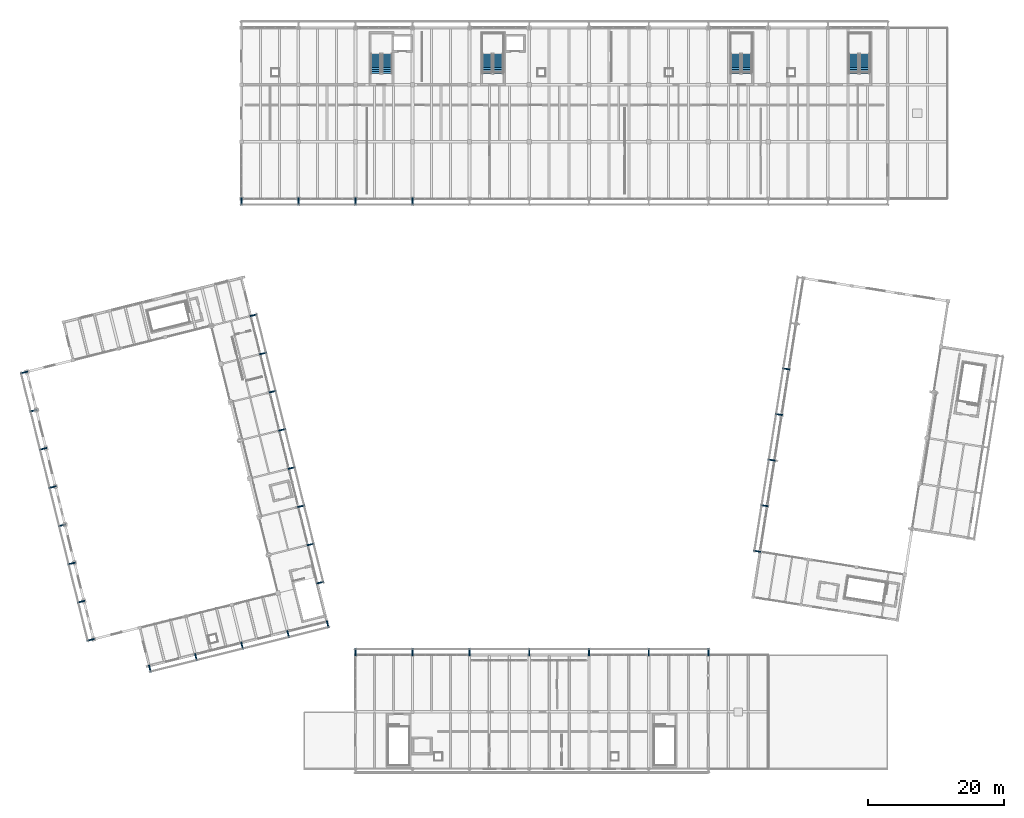
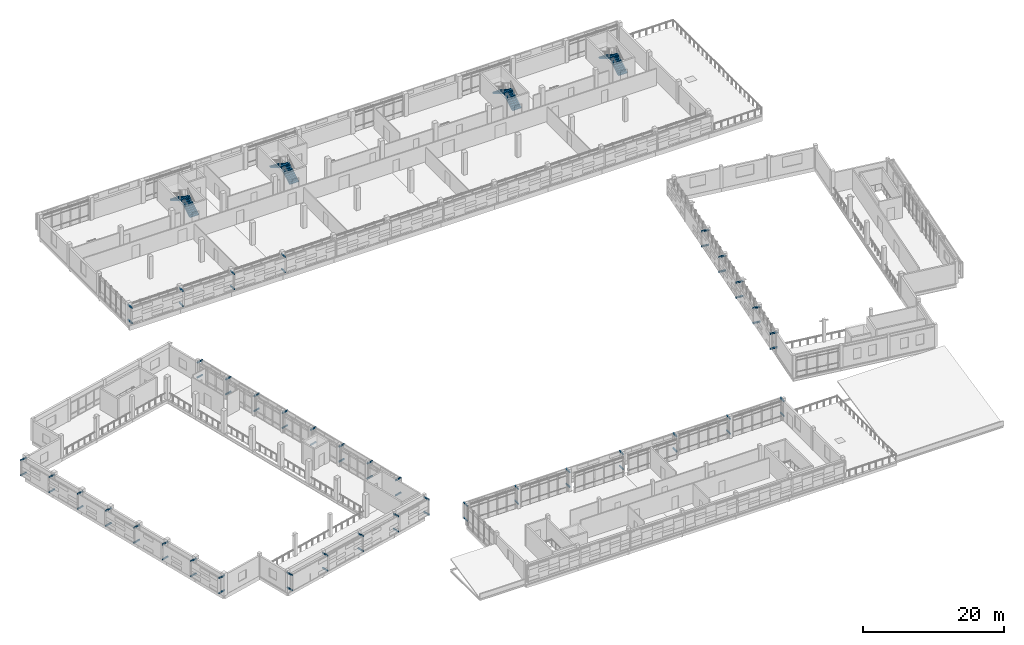
# One storey, part 103 of 117: 74 discrete accessories, 8 stair flights, 4 elements without a shape of their own.
"""IFC4 building model written with IfcOpenShell, lengths in metres."""

from ifc_helpers import new_model, si_unit, direction, frame, origin, origin_2d, place, context, subcontext, project, spatial, polyline, rectangle, outline, extrude, material, type_object, element, aggregate, save


model = new_model("IFC4")

# Units and contexts
model_context = context("Model", 3, precision=1e-05, world=origin(), true_north=direction((0.0, 1.0)))
body_context = subcontext(model_context, "Body", "Model", "MODEL_VIEW")
ifc_project = project(units=[si_unit("LENGTHUNIT", "METRE"), si_unit("AREAUNIT", "SQUARE_METRE"), si_unit("VOLUMEUNIT", "CUBIC_METRE"), si_unit("PLANEANGLEUNIT", "RADIAN"), si_unit("MASSUNIT", "GRAM", prefix="KILO")], contexts=[model_context])

# Site, building, storey
site_placement = place(None, origin())
site = spatial("IfcSite", under=ifc_project, at=site_placement, CompositionType="ELEMENT")
building_placement = place(site_placement, origin())
building = spatial("IfcBuilding", under=site, at=building_placement, Name="Cinderway Yard Community Centre", CompositionType="ELEMENT")
storey_placement = place(building_placement, frame((0.0, 0.0, 9.0)))
storey = spatial("IfcBuildingStorey", under=building, at=storey_placement, Name="L02", CompositionType="ELEMENT", Elevation=9.0)

# Stair, stair flights
ifc_material_1 = material(Name="Concrete C40/50", Category="concrete")
stair_type = type_object("IfcStairType", Name="INT-STR-390A", PredefinedType="HALF_TURN_STAIR", material=ifc_material_1)
stair_1_placement = place(storey_placement, origin())
stair_1 = element("IfcStair", 1, at=stair_1_placement, inside=storey, type_object=stair_type, Name="L02 Core C1 Exit Stair ST-01", PredefinedType="HALF_TURN_STAIR")
stair_flight_type = type_object("IfcStairFlightType", Name="INT-FLT-390A", PredefinedType="STRAIGHT", material=ifc_material_1)
stair_flight_1_placement = place(storey_placement, frame((63.06005859375, 108.429931640625, 0.0), z_axis=(0.0, 0.0, 1.0), x_axis=(0.0, 1.0, 0.0)))
stair_flight_1 = element("IfcStairFlight", 2, at=stair_flight_1_placement, type_object=stair_flight_type, Name="ST-01 flight 1", NumberOfRisers=11, NumberOfTreads=10, PredefinedType="STRAIGHT", RiserHeight=0.177272727, TreadLength=0.29, context=body_context, shape_type="SweptSolid", body=[
    extrude(outline(polyline([(0.0, 0.0), (0.0, 0.17724609375), (0.2900390625, 0.17724609375), (0.2900390625, 0.3544921875), (0.580078125, 0.3544921875), (0.580078125, 0.53173828125), (0.8701171875, 0.53173828125), (0.8701171875, 0.708984375), (1.159912109375, 0.708984375), (1.159912109375, 0.886474609375), (1.449951171875, 0.886474609375), (1.449951171875, 1.063720703125), (1.739990234375, 1.063720703125), (1.739990234375, 1.240966796875), (2.030029296875, 1.240966796875), (2.030029296875, 1.418212890625), (2.320068359375, 1.418212890625), (2.320068359375, 1.595458984375), (2.610107421875, 1.595458984375), (2.610107421875, 1.772705078125), (2.89990234375, 1.772705078125), (2.89990234375, 1.949951171875), (2.89990234375, 1.585205078125), (0.306640625, 0.0), (0.0, 0.0)])), frame((0.0, 0.739990234375, 0.0), z_axis=(0.0, -1.0, 0.0), x_axis=(1.0, 0.0, 0.0)), (0.0, 0.0, 1.0), 1.47998046875),
])
stair_flight_2_placement = place(storey_placement, frame((61.419921875, 111.330078125, 1.949951171875), z_axis=(0.0, 0.0, 1.0), x_axis=(0.0, -1.0, 0.0)))
stair_flight_2 = element("IfcStairFlight", 3, at=stair_flight_2_placement, type_object=stair_flight_type, Name="ST-01 flight 2", NumberOfRisers=11, NumberOfTreads=10, PredefinedType="STRAIGHT", RiserHeight=0.177272727, TreadLength=0.29, context=body_context, shape_type="SweptSolid", body=[
    extrude(outline(polyline([(0.0, 0.0), (0.0, 0.17724609375), (0.2900390625, 0.17724609375), (0.2900390625, 0.3544921875), (0.580078125, 0.3544921875), (0.580078125, 0.53173828125), (0.8701171875, 0.53173828125), (0.8701171875, 0.708984375), (1.159912109375, 0.708984375), (1.159912109375, 0.886474609375), (1.449951171875, 0.886474609375), (1.449951171875, 1.063720703125), (1.739990234375, 1.063720703125), (1.739990234375, 1.240966796875), (2.030029296875, 1.240966796875), (2.030029296875, 1.418212890625), (2.320068359375, 1.418212890625), (2.320068359375, 1.595458984375), (2.610107421875, 1.595458984375), (2.610107421875, 1.772705078125), (2.89990234375, 1.772705078125), (2.89990234375, 1.949951171875), (2.89990234375, 1.585205078125), (0.306640625, 0.0), (0.0, 0.0)])), frame((0.0, 0.739990234375, 0.0), z_axis=(0.0, -1.0, 0.0), x_axis=(1.0, 0.0, 0.0)), (0.0, 0.0, 1.0), 1.47998046875),
])
aggregate(stair_1, [stair_flight_1, stair_flight_2])

stair_2_placement = place(storey_placement, origin())
stair_2 = element("IfcStair", 4, at=stair_2_placement, inside=storey, type_object=stair_type, Name="L02 Core C2A Exit Stair ST-02", PredefinedType="HALF_TURN_STAIR")
stair_flight_3_placement = place(storey_placement, frame((79.4599609375, 108.429931640625, 0.0), z_axis=(0.0, 0.0, 1.0), x_axis=(0.0, 1.0, 0.0)))
stair_flight_3 = element("IfcStairFlight", 5, at=stair_flight_3_placement, type_object=stair_flight_type, Name="ST-02 flight 1", NumberOfRisers=11, NumberOfTreads=10, PredefinedType="STRAIGHT", RiserHeight=0.177272727, TreadLength=0.29, context=body_context, shape_type="SweptSolid", body=[
    extrude(outline(polyline([(0.0, 0.0), (0.0, 0.17724609375), (0.2900390625, 0.17724609375), (0.2900390625, 0.3544921875), (0.580078125, 0.3544921875), (0.580078125, 0.53173828125), (0.8701171875, 0.53173828125), (0.8701171875, 0.708984375), (1.159912109375, 0.708984375), (1.159912109375, 0.886474609375), (1.449951171875, 0.886474609375), (1.449951171875, 1.063720703125), (1.739990234375, 1.063720703125), (1.739990234375, 1.240966796875), (2.030029296875, 1.240966796875), (2.030029296875, 1.418212890625), (2.320068359375, 1.418212890625), (2.320068359375, 1.595458984375), (2.610107421875, 1.595458984375), (2.610107421875, 1.772705078125), (2.89990234375, 1.772705078125), (2.89990234375, 1.949951171875), (2.89990234375, 1.585205078125), (0.306640625, 0.0), (0.0, 0.0)])), frame((0.0, 0.739990234375, 0.0), z_axis=(0.0, -1.0, 0.0), x_axis=(1.0, 0.0, 0.0)), (0.0, 0.0, 1.0), 1.47998046875),
])
stair_flight_4_placement = place(storey_placement, frame((77.820068359375, 111.330078125, 1.949951171875), z_axis=(0.0, 0.0, 1.0), x_axis=(0.0, -1.0, 0.0)))
stair_flight_4 = element("IfcStairFlight", 6, at=stair_flight_4_placement, type_object=stair_flight_type, Name="ST-02 flight 2", NumberOfRisers=11, NumberOfTreads=10, PredefinedType="STRAIGHT", RiserHeight=0.177272727, TreadLength=0.29, context=body_context, shape_type="SweptSolid", body=[
    extrude(outline(polyline([(0.0, 0.0), (0.0, 0.17724609375), (0.2900390625, 0.17724609375), (0.2900390625, 0.3544921875), (0.580078125, 0.3544921875), (0.580078125, 0.53173828125), (0.8701171875, 0.53173828125), (0.8701171875, 0.708984375), (1.159912109375, 0.708984375), (1.159912109375, 0.886474609375), (1.449951171875, 0.886474609375), (1.449951171875, 1.063720703125), (1.739990234375, 1.063720703125), (1.739990234375, 1.240966796875), (2.030029296875, 1.240966796875), (2.030029296875, 1.418212890625), (2.320068359375, 1.418212890625), (2.320068359375, 1.595458984375), (2.610107421875, 1.595458984375), (2.610107421875, 1.772705078125), (2.89990234375, 1.772705078125), (2.89990234375, 1.949951171875), (2.89990234375, 1.585205078125), (0.306640625, 0.0), (0.0, 0.0)])), frame((0.0, 0.739990234375, 0.0), z_axis=(0.0, -1.0, 0.0), x_axis=(1.0, 0.0, 0.0)), (0.0, 0.0, 1.0), 1.47998046875),
])
aggregate(stair_2, [stair_flight_3, stair_flight_4])

stair_3_placement = place(storey_placement, origin())
stair_3 = element("IfcStair", 7, at=stair_3_placement, inside=storey, type_object=stair_type, Name="L02 Core C2B Exit Stair ST-03", PredefinedType="HALF_TURN_STAIR")
stair_flight_5_placement = place(storey_placement, frame((116.06005859375, 108.429931640625, 0.0), z_axis=(0.0, 0.0, 1.0), x_axis=(0.0, 1.0, 0.0)))
stair_flight_5 = element("IfcStairFlight", 8, at=stair_flight_5_placement, type_object=stair_flight_type, Name="ST-03 flight 1", NumberOfRisers=11, NumberOfTreads=10, PredefinedType="STRAIGHT", RiserHeight=0.177272727, TreadLength=0.29, context=body_context, shape_type="SweptSolid", body=[
    extrude(outline(polyline([(0.0, 0.0), (0.0, 0.17724609375), (0.2900390625, 0.17724609375), (0.2900390625, 0.3544921875), (0.580078125, 0.3544921875), (0.580078125, 0.53173828125), (0.8701171875, 0.53173828125), (0.8701171875, 0.708984375), (1.159912109375, 0.708984375), (1.159912109375, 0.886474609375), (1.449951171875, 0.886474609375), (1.449951171875, 1.063720703125), (1.739990234375, 1.063720703125), (1.739990234375, 1.240966796875), (2.030029296875, 1.240966796875), (2.030029296875, 1.418212890625), (2.320068359375, 1.418212890625), (2.320068359375, 1.595458984375), (2.610107421875, 1.595458984375), (2.610107421875, 1.772705078125), (2.89990234375, 1.772705078125), (2.89990234375, 1.949951171875), (2.89990234375, 1.585205078125), (0.306640625, 0.0), (0.0, 0.0)])), frame((0.0, 0.739990234375, 0.0), z_axis=(0.0, -1.0, 0.0), x_axis=(1.0, 0.0, 0.0)), (0.0, 0.0, 1.0), 1.47998046875),
])
stair_flight_6_placement = place(storey_placement, frame((114.419921875, 111.330078125, 1.949951171875), z_axis=(0.0, 0.0, 1.0), x_axis=(0.0, -1.0, 0.0)))
stair_flight_6 = element("IfcStairFlight", 9, at=stair_flight_6_placement, type_object=stair_flight_type, Name="ST-03 flight 2", NumberOfRisers=11, NumberOfTreads=10, PredefinedType="STRAIGHT", RiserHeight=0.177272727, TreadLength=0.29, context=body_context, shape_type="SweptSolid", body=[
    extrude(outline(polyline([(0.0, 0.0), (0.0, 0.17724609375), (0.2900390625, 0.17724609375), (0.2900390625, 0.3544921875), (0.580078125, 0.3544921875), (0.580078125, 0.53173828125), (0.8701171875, 0.53173828125), (0.8701171875, 0.708984375), (1.159912109375, 0.708984375), (1.159912109375, 0.886474609375), (1.449951171875, 0.886474609375), (1.449951171875, 1.063720703125), (1.739990234375, 1.063720703125), (1.739990234375, 1.240966796875), (2.030029296875, 1.240966796875), (2.030029296875, 1.418212890625), (2.320068359375, 1.418212890625), (2.320068359375, 1.595458984375), (2.610107421875, 1.595458984375), (2.610107421875, 1.772705078125), (2.89990234375, 1.772705078125), (2.89990234375, 1.949951171875), (2.89990234375, 1.585205078125), (0.306640625, 0.0), (0.0, 0.0)])), frame((0.0, 0.739990234375, 0.0), z_axis=(0.0, -1.0, 0.0), x_axis=(1.0, 0.0, 0.0)), (0.0, 0.0, 1.0), 1.47998046875),
])
aggregate(stair_3, [stair_flight_5, stair_flight_6])

stair_4_placement = place(storey_placement, origin())
stair_4 = element("IfcStair", 10, at=stair_4_placement, inside=storey, type_object=stair_type, Name="L02 Core C2C Exit Stair ST-04", PredefinedType="HALF_TURN_STAIR")
stair_flight_7_placement = place(storey_placement, frame((133.4599609375, 108.429931640625, 0.0), z_axis=(0.0, 0.0, 1.0), x_axis=(0.0, 1.0, 0.0)))
stair_flight_7 = element("IfcStairFlight", 11, at=stair_flight_7_placement, type_object=stair_flight_type, Name="ST-04 flight 1", NumberOfRisers=11, NumberOfTreads=10, PredefinedType="STRAIGHT", RiserHeight=0.177272727, TreadLength=0.29, context=body_context, shape_type="SweptSolid", body=[
    extrude(outline(polyline([(0.0, 0.0), (0.0, 0.17724609375), (0.2900390625, 0.17724609375), (0.2900390625, 0.3544921875), (0.580078125, 0.3544921875), (0.580078125, 0.53173828125), (0.8701171875, 0.53173828125), (0.8701171875, 0.708984375), (1.159912109375, 0.708984375), (1.159912109375, 0.886474609375), (1.449951171875, 0.886474609375), (1.449951171875, 1.063720703125), (1.739990234375, 1.063720703125), (1.739990234375, 1.240966796875), (2.030029296875, 1.240966796875), (2.030029296875, 1.418212890625), (2.320068359375, 1.418212890625), (2.320068359375, 1.595458984375), (2.610107421875, 1.595458984375), (2.610107421875, 1.772705078125), (2.89990234375, 1.772705078125), (2.89990234375, 1.949951171875), (2.89990234375, 1.585205078125), (0.306640625, 0.0), (0.0, 0.0)])), frame((0.0, 0.739990234375, 0.0), z_axis=(0.0, -1.0, 0.0), x_axis=(1.0, 0.0, 0.0)), (0.0, 0.0, 1.0), 1.47998046875),
])
stair_flight_8_placement = place(storey_placement, frame((131.820068359375, 111.330078125, 1.949951171875), z_axis=(0.0, 0.0, 1.0), x_axis=(0.0, -1.0, 0.0)))
stair_flight_8 = element("IfcStairFlight", 12, at=stair_flight_8_placement, type_object=stair_flight_type, Name="ST-04 flight 2", NumberOfRisers=11, NumberOfTreads=10, PredefinedType="STRAIGHT", RiserHeight=0.177272727, TreadLength=0.29, context=body_context, shape_type="SweptSolid", body=[
    extrude(outline(polyline([(0.0, 0.0), (0.0, 0.17724609375), (0.2900390625, 0.17724609375), (0.2900390625, 0.3544921875), (0.580078125, 0.3544921875), (0.580078125, 0.53173828125), (0.8701171875, 0.53173828125), (0.8701171875, 0.708984375), (1.159912109375, 0.708984375), (1.159912109375, 0.886474609375), (1.449951171875, 0.886474609375), (1.449951171875, 1.063720703125), (1.739990234375, 1.063720703125), (1.739990234375, 1.240966796875), (2.030029296875, 1.240966796875), (2.030029296875, 1.418212890625), (2.320068359375, 1.418212890625), (2.320068359375, 1.595458984375), (2.610107421875, 1.595458984375), (2.610107421875, 1.772705078125), (2.89990234375, 1.772705078125), (2.89990234375, 1.949951171875), (2.89990234375, 1.585205078125), (0.306640625, 0.0), (0.0, 0.0)])), frame((0.0, 0.739990234375, 0.0), z_axis=(0.0, -1.0, 0.0), x_axis=(1.0, 0.0, 0.0)), (0.0, 0.0, 1.0), 1.47998046875),
])
aggregate(stair_4, [stair_flight_7, stair_flight_8])

# Discrete accessories
ifc_material_2 = material(Name="Steel S355", Category="steel")
discrete_accessory_type = type_object("IfcDiscreteAccessoryType", Name="ENV-ACC-BRACKET", PredefinedType="BRACKET", material=ifc_material_2)
for number, where, z_axis, x_axis, name in (
    (13, (41.60009765625, 89.574951171875, 0.6201171875), (0.0, 0.0, 1.0), (0.0, -1.0, 0.0), "Screen outrigger bracket 0227"),
    (14, (41.60009765625, 89.574951171875, 3.2099609375), (0.0, 0.0, 1.0), (0.0, -1.0, 0.0), "Screen outrigger bracket 0228"),
    (15, (50.0, 89.574951171875, 0.6201171875), (0.0, 0.0, 1.0), (0.0, -1.0, 0.0), "Screen outrigger bracket 0231"),
    (16, (50.0, 89.574951171875, 3.2099609375), (0.0, 0.0, 1.0), (0.0, -1.0, 0.0), "Screen outrigger bracket 0232"),
    (17, (58.39990234375, 89.574951171875, 0.6201171875), (0.0, 0.0, 1.0), (0.0, -1.0, 0.0), "Screen outrigger bracket 0235"),
    (18, (58.39990234375, 89.574951171875, 3.2099609375), (0.0, 0.0, 1.0), (0.0, -1.0, 0.0), "Screen outrigger bracket 0236"),
    (19, (66.800048828125, 89.574951171875, 0.6201171875), (0.0, 0.0, 1.0), (0.0, -1.0, 0.0), "Screen outrigger bracket 0239"),
    (20, (66.800048828125, 89.574951171875, 3.2099609375), (0.0, 0.0, 1.0), (0.0, -1.0, 0.0), "Screen outrigger bracket 0240"),
    (21, (58.39990234375, 23.22509765625, 0.6201171875), (0.0, 0.0, 1.0), (0.0, 1.0, 0.0), "Screen outrigger bracket 0383"),
    (22, (58.39990234375, 23.22509765625, 3.2099609375), (0.0, 0.0, 1.0), (0.0, 1.0, 0.0), "Screen outrigger bracket 0384"),
    (23, (66.800048828125, 23.22509765625, 0.6201171875), (0.0, 0.0, 1.0), (0.0, 1.0, 0.0), "Screen outrigger bracket 0387"),
    (24, (66.800048828125, 23.22509765625, 3.2099609375), (0.0, 0.0, 1.0), (0.0, 1.0, 0.0), "Screen outrigger bracket 0388"),
    (25, (75.199951171875, 23.22509765625, 0.6201171875), (0.0, 0.0, 1.0), (0.0, 1.0, 0.0), "Screen outrigger bracket 0391"),
    (26, (75.199951171875, 23.22509765625, 3.2099609375), (0.0, 0.0, 1.0), (0.0, 1.0, 0.0), "Screen outrigger bracket 0392"),
    (27, (84.0, 23.22509765625, 0.6201171875), (0.0, 0.0, 1.0), (0.0, 1.0, 0.0), "Screen outrigger bracket 0395"),
    (28, (84.0, 23.22509765625, 3.2099609375), (0.0, 0.0, 1.0), (0.0, 1.0, 0.0), "Screen outrigger bracket 0396"),
    (29, (92.800048828125, 23.22509765625, 0.6201171875), (0.0, 0.0, 1.0), (0.0, 1.0, 0.0), "Screen outrigger bracket 0399"),
    (30, (92.800048828125, 23.22509765625, 3.2099609375), (0.0, 0.0, 1.0), (0.0, 1.0, 0.0), "Screen outrigger bracket 0400"),
    (31, (101.60009765625, 23.22509765625, 0.6201171875), (0.0, 0.0, 1.0), (0.0, 1.0, 0.0), "Screen outrigger bracket 0403"),
    (32, (101.60009765625, 23.22509765625, 3.2099609375), (0.0, 0.0, 1.0), (0.0, 1.0, 0.0), "Screen outrigger bracket 0404"),
    (33, (110.39990234375, 23.22509765625, 0.6201171875), (0.0, 0.0, 1.0), (0.0, 1.0, 0.0), "Screen outrigger bracket 0407"),
    (34, (110.39990234375, 23.22509765625, 3.2099609375), (0.0, 0.0, 1.0), (0.0, 1.0, 0.0), "Screen outrigger bracket 0408"),
):
    element("IfcDiscreteAccessory", number, at=place(storey_placement, frame(where, z_axis=z_axis, x_axis=x_axis)), inside=storey, type_object=discrete_accessory_type, Name=name, PredefinedType="BRACKET", context=body_context, shape_type="SweptSolid", body=[
        extrude(rectangle(XDim=1.090087890625, YDim=0.179931640625, at=origin_2d()), origin(), (0.0, 0.0, 1.0), 0.219970703125),
    ])
for number, where, z_axis, x_axis, name in (
    (35, (19.3720703125, 25.008056640625, 0.6201171875), (0.0, 0.0, 1.0), (-0.970295726276, -0.2419218956, 0.0), "Screen outrigger bracket 0495"),
    (36, (19.3720703125, 25.008056640625, 3.2099609375), (0.0, 0.0, 1.0), (-0.970295726276, -0.2419218956, 0.0), "Screen outrigger bracket 0496"),
    (37, (17.968994140625, 30.635986328125, 0.6201171875), (0.0, 0.0, 1.0), (-0.970295726276, -0.2419218956, 0.0), "Screen outrigger bracket 0499"),
    (38, (17.968994140625, 30.635986328125, 3.2099609375), (0.0, 0.0, 1.0), (-0.970295726276, -0.2419218956, 0.0), "Screen outrigger bracket 0500"),
    (39, (16.56591796875, 36.262939453125, 0.6201171875), (0.0, 0.0, 1.0), (-0.970295726276, -0.2419218956, 0.0), "Screen outrigger bracket 0503"),
    (40, (16.56591796875, 36.262939453125, 3.2099609375), (0.0, 0.0, 1.0), (-0.970295726276, -0.2419218956, 0.0), "Screen outrigger bracket 0504"),
    (41, (15.1630859375, 41.89111328125, 0.6201171875), (0.0, 0.0, 1.0), (-0.970295726276, -0.2419218956, 0.0), "Screen outrigger bracket 0507"),
    (42, (15.1630859375, 41.89111328125, 3.2099609375), (0.0, 0.0, 1.0), (-0.970295726276, -0.2419218956, 0.0), "Screen outrigger bracket 0508"),
    (43, (13.760009765625, 47.51904296875, 0.6201171875), (0.0, 0.0, 1.0), (-0.970295726276, -0.2419218956, 0.0), "Screen outrigger bracket 0511"),
    (44, (13.760009765625, 47.51904296875, 3.2099609375), (0.0, 0.0, 1.0), (-0.970295726276, -0.2419218956, 0.0), "Screen outrigger bracket 0512"),
    (45, (12.35693359375, 53.14599609375, 0.6201171875), (0.0, 0.0, 1.0), (-0.970295726276, -0.2419218956, 0.0), "Screen outrigger bracket 0515"),
    (46, (12.35693359375, 53.14599609375, 3.2099609375), (0.0, 0.0, 1.0), (-0.970295726276, -0.2419218956, 0.0), "Screen outrigger bracket 0516"),
    (47, (10.9541015625, 58.77392578125, 0.6201171875), (0.0, 0.0, 1.0), (-0.970295726276, -0.2419218956, 0.0), "Screen outrigger bracket 0519"),
    (48, (10.9541015625, 58.77392578125, 3.2099609375), (0.0, 0.0, 1.0), (-0.970295726276, -0.2419218956, 0.0), "Screen outrigger bracket 0520"),
    (49, (9.550048828125, 64.402099609375, 0.6201171875), (0.0, 0.0, 1.0), (-0.970295726276, -0.2419218956, 0.0), "Screen outrigger bracket 0523"),
    (50, (9.550048828125, 64.402099609375, 3.2099609375), (0.0, 0.0, 1.0), (-0.970295726276, -0.2419218956, 0.0), "Screen outrigger bracket 0524"),
):
    element("IfcDiscreteAccessory", number, at=place(storey_placement, frame(where, z_axis=z_axis, x_axis=x_axis)), inside=storey, type_object=discrete_accessory_type, Name=name, PredefinedType="BRACKET", context=body_context, shape_type="SweptSolid", body=[
        extrude(rectangle(XDim=1.139892578125, YDim=0.179931640625, at=origin_2d()), origin(), (0.0, 0.0, 1.0), 0.219970703125),
    ])
for number, where, z_axis, x_axis, name in (
    (51, (53.2109375, 33.445068359375, 0.6201171875), (0.0, 0.0, 1.0), (0.970295726276, 0.2419218956, 0.0), "Screen outrigger bracket 0527"),
    (52, (53.2109375, 33.445068359375, 3.2099609375), (0.0, 0.0, 1.0), (0.970295726276, 0.2419218956, 0.0), "Screen outrigger bracket 0528"),
    (53, (51.80810546875, 39.072998046875, 0.6201171875), (0.0, 0.0, 1.0), (0.970295726276, 0.2419218956, 0.0), "Screen outrigger bracket 0531"),
    (54, (51.80810546875, 39.072998046875, 3.2099609375), (0.0, 0.0, 1.0), (0.970295726276, 0.2419218956, 0.0), "Screen outrigger bracket 0532"),
    (55, (50.405029296875, 44.700927734375, 0.6201171875), (0.0, 0.0, 1.0), (0.970295726276, 0.2419218956, 0.0), "Screen outrigger bracket 0535"),
    (56, (50.405029296875, 44.700927734375, 3.2099609375), (0.0, 0.0, 1.0), (0.970295726276, 0.2419218956, 0.0), "Screen outrigger bracket 0536"),
    (57, (49.001953125, 50.327880859375, 0.6201171875), (0.0, 0.0, 1.0), (0.970295726276, 0.2419218956, 0.0), "Screen outrigger bracket 0539"),
    (58, (49.001953125, 50.327880859375, 3.2099609375), (0.0, 0.0, 1.0), (0.970295726276, 0.2419218956, 0.0), "Screen outrigger bracket 0540"),
    (59, (47.59912109375, 55.9560546875, 0.6201171875), (0.0, 0.0, 1.0), (0.970295726276, 0.2419218956, 0.0), "Screen outrigger bracket 0543"),
    (60, (47.59912109375, 55.9560546875, 3.2099609375), (0.0, 0.0, 1.0), (0.970295726276, 0.2419218956, 0.0), "Screen outrigger bracket 0544"),
    (61, (46.196044921875, 61.583984375, 0.6201171875), (0.0, 0.0, 1.0), (0.970295726276, 0.2419218956, 0.0), "Screen outrigger bracket 0547"),
    (62, (46.196044921875, 61.583984375, 3.2099609375), (0.0, 0.0, 1.0), (0.970295726276, 0.2419218956, 0.0), "Screen outrigger bracket 0548"),
    (63, (44.79296875, 67.2109375, 0.6201171875), (0.0, 0.0, 1.0), (0.970295726276, 0.2419218956, 0.0), "Screen outrigger bracket 0551"),
    (64, (44.79296875, 67.2109375, 3.2099609375), (0.0, 0.0, 1.0), (0.970295726276, 0.2419218956, 0.0), "Screen outrigger bracket 0552"),
    (65, (43.388916015625, 72.839111328125, 0.6201171875), (0.0, 0.0, 1.0), (0.970295726276, 0.2419218956, 0.0), "Screen outrigger bracket 0555"),
    (66, (43.388916015625, 72.839111328125, 3.2099609375), (0.0, 0.0, 1.0), (0.970295726276, 0.2419218956, 0.0), "Screen outrigger bracket 0556"),
    (67, (28.10791015625, 20.77099609375, 0.6201171875), (0.0, 0.0, 1.0), (0.2419218956, -0.970295726276, 0.0), "Screen outrigger bracket 0559"),
    (68, (28.10791015625, 20.77099609375, 3.2099609375), (0.0, 0.0, 1.0), (0.2419218956, -0.970295726276, 0.0), "Screen outrigger bracket 0560"),
    (69, (34.89990234375, 22.464111328125, 0.6201171875), (0.0, 0.0, 1.0), (0.2419218956, -0.970295726276, 0.0), "Screen outrigger bracket 0563"),
    (70, (34.89990234375, 22.464111328125, 3.2099609375), (0.0, 0.0, 1.0), (0.2419218956, -0.970295726276, 0.0), "Screen outrigger bracket 0564"),
    (71, (41.69189453125, 24.156982421875, 0.6201171875), (0.0, 0.0, 1.0), (0.2419218956, -0.970295726276, 0.0), "Screen outrigger bracket 0567"),
    (72, (41.69189453125, 24.156982421875, 3.2099609375), (0.0, 0.0, 1.0), (0.2419218956, -0.970295726276, 0.0), "Screen outrigger bracket 0568"),
    (73, (48.48388671875, 25.85107421875, 0.6201171875), (0.0, 0.0, 1.0), (0.2419218956, -0.970295726276, 0.0), "Screen outrigger bracket 0571"),
    (74, (48.48388671875, 25.85107421875, 3.2099609375), (0.0, 0.0, 1.0), (0.2419218956, -0.970295726276, 0.0), "Screen outrigger bracket 0572"),
    (75, (54.305908203125, 27.302001953125, 0.6201171875), (0.0, 0.0, 1.0), (0.2419218956, -0.970295726276, 0.0), "Screen outrigger bracket 0575"),
    (76, (54.305908203125, 27.302001953125, 3.2099609375), (0.0, 0.0, 1.0), (0.2419218956, -0.970295726276, 0.0), "Screen outrigger bracket 0576"),
    (77, (117.580078125, 38.06591796875, 0.6201171875), (0.0, 0.0, 1.0), (-0.987688340595, 0.15643446504, 0.0), "Screen outrigger bracket 0627"),
    (78, (117.580078125, 38.06591796875, 3.2099609375), (0.0, 0.0, 1.0), (-0.987688340595, 0.15643446504, 0.0), "Screen outrigger bracket 0628"),
    (79, (118.64404296875, 44.781982421875, 0.6201171875), (0.0, 0.0, 1.0), (-0.987688340595, 0.15643446504, 0.0), "Screen outrigger bracket 0631"),
    (80, (118.64404296875, 44.781982421875, 3.2099609375), (0.0, 0.0, 1.0), (-0.987688340595, 0.15643446504, 0.0), "Screen outrigger bracket 0632"),
    (81, (119.7080078125, 51.4990234375, 0.6201171875), (0.0, 0.0, 1.0), (-0.987688340595, 0.15643446504, 0.0), "Screen outrigger bracket 0635"),
    (82, (119.7080078125, 51.4990234375, 3.2099609375), (0.0, 0.0, 1.0), (-0.987688340595, 0.15643446504, 0.0), "Screen outrigger bracket 0636"),
    (83, (120.77099609375, 58.215087890625, 0.6201171875), (0.0, 0.0, 1.0), (-0.987688340595, 0.15643446504, 0.0), "Screen outrigger bracket 0639"),
    (84, (120.77099609375, 58.215087890625, 3.2099609375), (0.0, 0.0, 1.0), (-0.987688340595, 0.15643446504, 0.0), "Screen outrigger bracket 0640"),
    (85, (121.8349609375, 64.930908203125, 0.6201171875), (0.0, 0.0, 1.0), (-0.987688340595, 0.15643446504, 0.0), "Screen outrigger bracket 0643"),
    (86, (121.8349609375, 64.930908203125, 3.2099609375), (0.0, 0.0, 1.0), (-0.987688340595, 0.15643446504, 0.0), "Screen outrigger bracket 0644"),
):
    element("IfcDiscreteAccessory", number, at=place(storey_placement, frame(where, z_axis=z_axis, x_axis=x_axis)), inside=storey, type_object=discrete_accessory_type, Name=name, PredefinedType="BRACKET", context=body_context, shape_type="SweptSolid", body=[
        extrude(rectangle(XDim=1.090087890625, YDim=0.179931640625, at=origin_2d()), origin(), (0.0, 0.0, 1.0), 0.219970703125),
    ])

save(model, "model.ifc")
